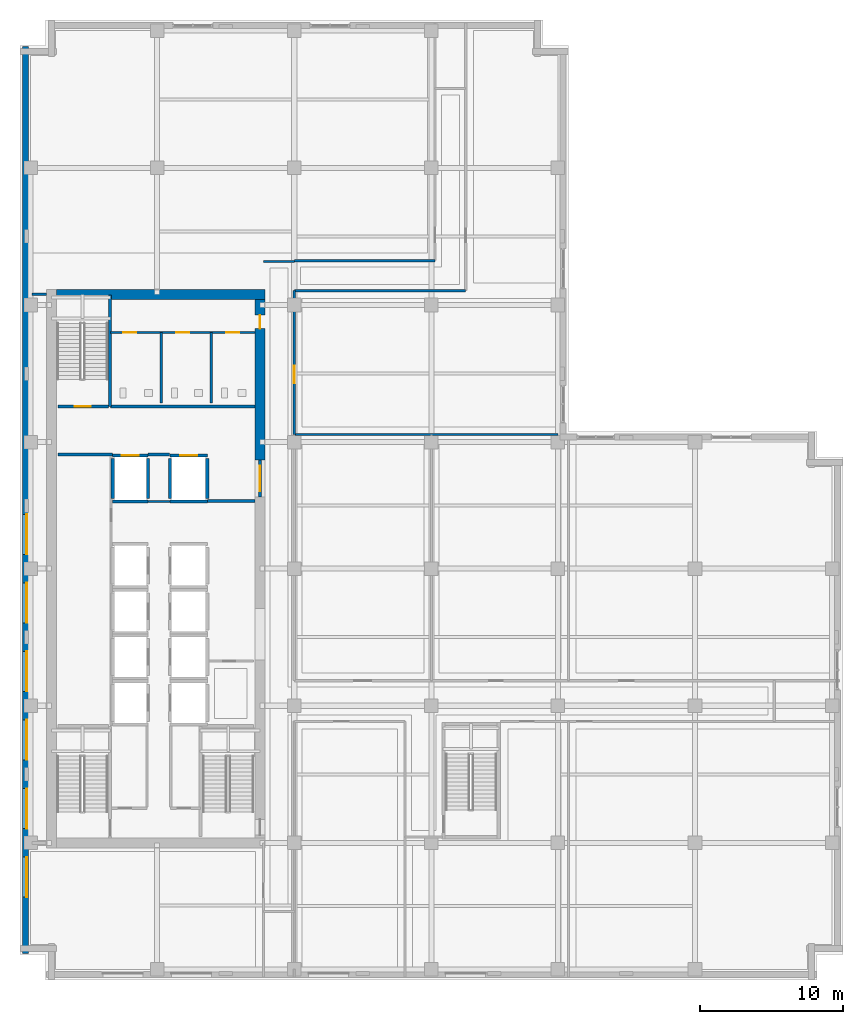
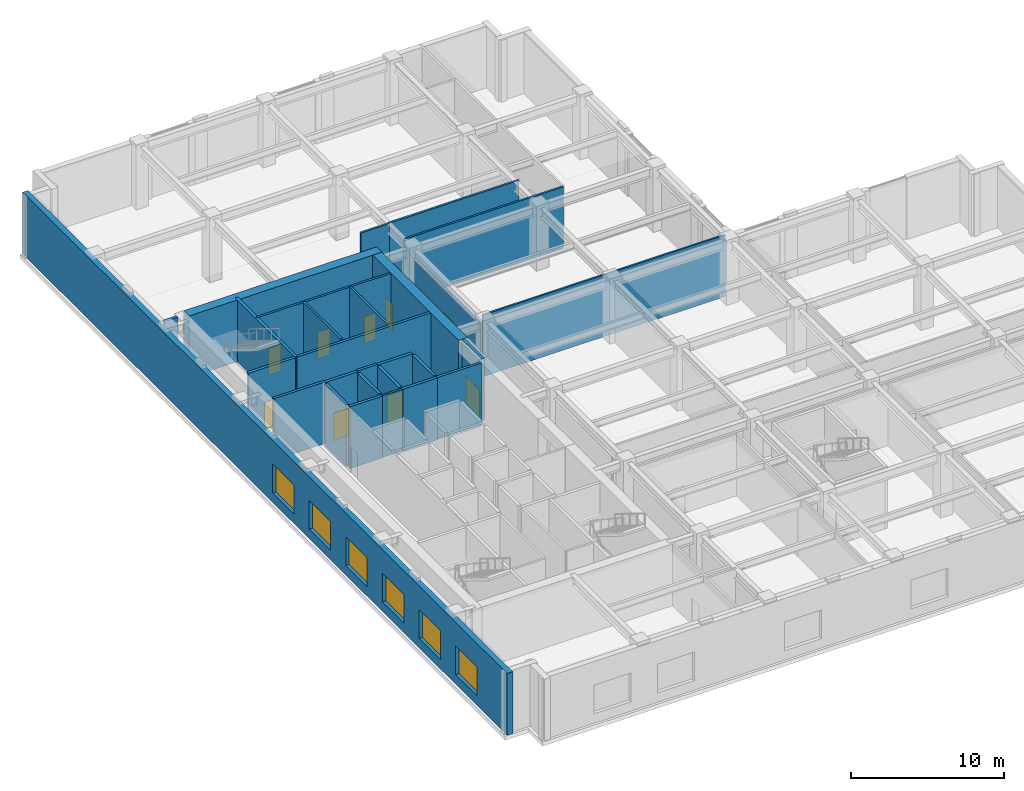
# One storey, part 6 of 18: 28 walls, 9 doors, 6 windows, 15 openings.
"""IFC4 building model written with IfcOpenShell, lengths in metres."""

from ifc_helpers import new_model, si_unit, direction, frame, frame_2d, origin, place, context, subcontext, project, spatial, rectangle, extrude, material, layer, layer_set, type_object, element, fill, save


model = new_model("IFC4")

# Units and contexts
model_context = context("Model", 3, precision=1e-05, world=origin(), true_north=direction((0.0, 1.0)))
body_context = subcontext(model_context, "Body", "Model", "MODEL_VIEW")
ifc_project = project(units=[si_unit("LENGTHUNIT", "METRE"), si_unit("AREAUNIT", "SQUARE_METRE"), si_unit("VOLUMEUNIT", "CUBIC_METRE"), si_unit("PLANEANGLEUNIT", "RADIAN"), si_unit("MASSUNIT", "GRAM", prefix="KILO")], contexts=[model_context])

# Site, building, storey
site_placement = place(None, origin())
site = spatial("IfcSite", under=ifc_project, at=site_placement, CompositionType="ELEMENT")
building_placement = place(site_placement, origin())
building = spatial("IfcBuilding", under=site, at=building_placement, Name="Norrvale University Quadrangle", CompositionType="ELEMENT")
storey_placement = place(building_placement, frame((0.0, 0.0, 150.800048828125)))
storey = spatial("IfcBuildingStorey", under=building, at=storey_placement, Name="L38", CompositionType="ELEMENT", Elevation=150.800048828125)

# Wall, openings, windows
ifc_material_1 = material(Name="Buff Norman Clay Brick Masonry", Category="masonry")
ifc_layer_1 = layer(ifc_material_1, 0.419921875, Name="Buff Norman Clay Brick Masonry")
ifc_layer_set_1 = layer_set([ifc_layer_1], Name="Buff Norman Clay Brick Masonry")
wall_type_1 = type_object("IfcWallType", Name="Wall Buff Brick 420", PredefinedType="SOLIDWALL", material=ifc_layer_set_1)
wall_1_placement = place(storey_placement, frame((0.389892578125, 65.360107421875, 0.0), z_axis=(0.0, 0.0, 1.0), x_axis=(0.0, -1.0, 0.0)))
wall_1 = element("IfcWall", 1, at=wall_1_placement, inside=storey, type_object=wall_type_1, Name="Exterior Brick Facade Wall L38-14.1", PredefinedType="SOLIDWALL", context=body_context, shape_type="SweptSolid", body=[
    extrude(rectangle(XDim=63.52001953125, YDim=0.419921875, at=frame_2d((31.760009765625, 0.0))), origin(), (0.0, 0.0, 1.0), 4.93994140625),
])
opening_1_placement = place(wall_1_placement, frame((32.760009765625, 0.0, 0.75)))
opening_1 = element("IfcOpeningElement", 2, at=opening_1_placement, cuts=wall_1, Name="Opening W05", PredefinedType="OPENING", context=body_context, shape_type="SweptSolid", body=[
    extrude(rectangle(XDim=2.800048828125, YDim=2.300048828125, at=frame_2d((1.39990234375, 1.14990234375))), frame((0.0, 0.221923828125, 0.0), z_axis=(0.0, -1.0, 0.0), x_axis=(1.0, 0.0, 0.0)), (0.0, 0.0, 1.0), 0.44384765625),
])
opening_2_placement = place(wall_1_placement, frame((37.56005859375, 0.0, 0.75)))
opening_2 = element("IfcOpeningElement", 3, at=opening_2_placement, cuts=wall_1, Name="Opening W05", PredefinedType="OPENING", context=body_context, shape_type="SweptSolid", body=[
    extrude(rectangle(XDim=2.800048828125, YDim=2.300048828125, at=frame_2d((1.39990234375, 1.14990234375))), frame((0.0, 0.221923828125, 0.0), z_axis=(0.0, -1.0, 0.0), x_axis=(1.0, 0.0, 0.0)), (0.0, 0.0, 1.0), 0.44384765625),
])
opening_3_placement = place(wall_1_placement, frame((42.360107421875, 0.0, 0.75)))
opening_3 = element("IfcOpeningElement", 4, at=opening_3_placement, cuts=wall_1, Name="Opening W05", PredefinedType="OPENING", context=body_context, shape_type="SweptSolid", body=[
    extrude(rectangle(XDim=2.800048828125, YDim=2.300048828125, at=frame_2d((1.39990234375, 1.14990234375))), frame((0.0, 0.221923828125, 0.0), z_axis=(0.0, -1.0, 0.0), x_axis=(1.0, 0.0, 0.0)), (0.0, 0.0, 1.0), 0.44384765625),
])
opening_4_placement = place(wall_1_placement, frame((47.159912109375, 0.0, 0.75)))
opening_4 = element("IfcOpeningElement", 5, at=opening_4_placement, cuts=wall_1, Name="Opening W05", PredefinedType="OPENING", context=body_context, shape_type="SweptSolid", body=[
    extrude(rectangle(XDim=2.800048828125, YDim=2.300048828125, at=frame_2d((1.39990234375, 1.14990234375))), frame((0.0, 0.221923828125, 0.0), z_axis=(0.0, -1.0, 0.0), x_axis=(1.0, 0.0, 0.0)), (0.0, 0.0, 1.0), 0.44384765625),
])
opening_5_placement = place(wall_1_placement, frame((51.9599609375, 0.0, 0.75)))
opening_5 = element("IfcOpeningElement", 6, at=opening_5_placement, cuts=wall_1, Name="Opening W05", PredefinedType="OPENING", context=body_context, shape_type="SweptSolid", body=[
    extrude(rectangle(XDim=2.800048828125, YDim=2.300048828125, at=frame_2d((1.39990234375, 1.14990234375))), frame((0.0, 0.221923828125, 0.0), z_axis=(0.0, -1.0, 0.0), x_axis=(1.0, 0.0, 0.0)), (0.0, 0.0, 1.0), 0.44384765625),
])
opening_6_placement = place(wall_1_placement, frame((56.760009765625, 0.0, 0.75)))
opening_6 = element("IfcOpeningElement", 7, at=opening_6_placement, cuts=wall_1, Name="Opening W05", PredefinedType="OPENING", context=body_context, shape_type="SweptSolid", body=[
    extrude(rectangle(XDim=2.800048828125, YDim=2.300048828125, at=frame_2d((1.39990234375, 1.14990234375))), frame((0.0, 0.221923828125, 0.0), z_axis=(0.0, -1.0, 0.0), x_axis=(1.0, 0.0, 0.0)), (0.0, 0.0, 1.0), 0.44384765625),
])
ifc_material_2 = material(Name="Bird-Friendly Fritted Triple Glazing", Category="glass")
window_type = type_object("IfcWindowType", Name="Window Podium 2800x2800", PartitioningType="TRIPLE_PANEL_VERTICAL", PredefinedType="WINDOW", material=ifc_material_2)
window_1_placement = place(opening_1_placement, origin())
window_1 = element("IfcWindow", 8, at=window_1_placement, inside=storey, type_object=window_type, Name="Window Podium 2800x2800 WIN-L38-E14-1-01", OverallHeight=2.300048828125, OverallWidth=2.800048828125, PartitioningType="TRIPLE_PANEL_VERTICAL", PredefinedType="WINDOW", context=body_context, shape_type="SweptSolid", body=[
    extrude(rectangle(XDim=2.800048828125, YDim=2.300048828125, at=frame_2d((1.39990234375, 1.14990234375))), frame((0.0, 0.110107421875, 0.0), z_axis=(0.0, -1.0, 0.0), x_axis=(1.0, 0.0, 0.0)), (0.0, 0.0, 1.0), 0.06005859375),
])
fill(opening_1, window_1)
window_2_placement = place(opening_2_placement, origin())
window_2 = element("IfcWindow", 9, at=window_2_placement, inside=storey, type_object=window_type, Name="Window Podium 2800x2800 WIN-L38-E14-1-02", OverallHeight=2.300048828125, OverallWidth=2.800048828125, PartitioningType="TRIPLE_PANEL_VERTICAL", PredefinedType="WINDOW", context=body_context, shape_type="SweptSolid", body=[
    extrude(rectangle(XDim=2.800048828125, YDim=2.300048828125, at=frame_2d((1.39990234375, 1.14990234375))), frame((0.0, 0.110107421875, 0.0), z_axis=(0.0, -1.0, 0.0), x_axis=(1.0, 0.0, 0.0)), (0.0, 0.0, 1.0), 0.06005859375),
])
fill(opening_2, window_2)
window_3_placement = place(opening_3_placement, origin())
window_3 = element("IfcWindow", 10, at=window_3_placement, inside=storey, type_object=window_type, Name="Window Podium 2800x2800 WIN-L38-E14-1-03", OverallHeight=2.300048828125, OverallWidth=2.800048828125, PartitioningType="TRIPLE_PANEL_VERTICAL", PredefinedType="WINDOW", context=body_context, shape_type="SweptSolid", body=[
    extrude(rectangle(XDim=2.800048828125, YDim=2.300048828125, at=frame_2d((1.39990234375, 1.14990234375))), frame((0.0, 0.110107421875, 0.0), z_axis=(0.0, -1.0, 0.0), x_axis=(1.0, 0.0, 0.0)), (0.0, 0.0, 1.0), 0.06005859375),
])
fill(opening_3, window_3)
window_4_placement = place(opening_4_placement, origin())
window_4 = element("IfcWindow", 11, at=window_4_placement, inside=storey, type_object=window_type, Name="Window Podium 2800x2800 WIN-L38-E14-1-04", OverallHeight=2.300048828125, OverallWidth=2.800048828125, PartitioningType="TRIPLE_PANEL_VERTICAL", PredefinedType="WINDOW", context=body_context, shape_type="SweptSolid", body=[
    extrude(rectangle(XDim=2.800048828125, YDim=2.300048828125, at=frame_2d((1.39990234375, 1.14990234375))), frame((0.0, 0.110107421875, 0.0), z_axis=(0.0, -1.0, 0.0), x_axis=(1.0, 0.0, 0.0)), (0.0, 0.0, 1.0), 0.06005859375),
])
fill(opening_4, window_4)
window_5_placement = place(opening_5_placement, origin())
window_5 = element("IfcWindow", 12, at=window_5_placement, inside=storey, type_object=window_type, Name="Window Podium 2800x2800 WIN-L38-E14-1-05", OverallHeight=2.300048828125, OverallWidth=2.800048828125, PartitioningType="TRIPLE_PANEL_VERTICAL", PredefinedType="WINDOW", context=body_context, shape_type="SweptSolid", body=[
    extrude(rectangle(XDim=2.800048828125, YDim=2.300048828125, at=frame_2d((1.39990234375, 1.14990234375))), frame((0.0, 0.110107421875, 0.0), z_axis=(0.0, -1.0, 0.0), x_axis=(1.0, 0.0, 0.0)), (0.0, 0.0, 1.0), 0.06005859375),
])
fill(opening_5, window_5)
window_6_placement = place(opening_6_placement, origin())
window_6 = element("IfcWindow", 13, at=window_6_placement, inside=storey, type_object=window_type, Name="Window Podium 2800x2800 WIN-L38-E14-1-06", OverallHeight=2.300048828125, OverallWidth=2.800048828125, PartitioningType="TRIPLE_PANEL_VERTICAL", PredefinedType="WINDOW", context=body_context, shape_type="SweptSolid", body=[
    extrude(rectangle(XDim=2.800048828125, YDim=2.300048828125, at=frame_2d((1.39990234375, 1.14990234375))), frame((0.0, 0.110107421875, 0.0), z_axis=(0.0, -1.0, 0.0), x_axis=(1.0, 0.0, 0.0)), (0.0, 0.0, 1.0), 0.06005859375),
])
fill(opening_6, window_6)

# Wall
ifc_material_3 = material(Name="Concrete C60/75", Category="concrete")
ifc_layer_2 = layer(ifc_material_3, 0.699951171875, Name="Concrete C60/75")
ifc_layer_set_2 = layer_set([ifc_layer_2], Name="Concrete C60/75")
wall_type_2 = type_object("IfcWallType", Name="Wall Core 700", PredefinedType="SHEAR", material=ifc_layer_set_2)
wall_2_placement = place(storey_placement, frame((2.550048828125, 48.0, 0.0), z_axis=(0.0, 0.0, 1.0), x_axis=(1.0, 0.0, 0.0)))
element("IfcWall", 14, at=wall_2_placement, inside=storey, type_object=wall_type_2, Name="Tower Core Shear Wall L38-N", PredefinedType="SHEAR", context=body_context, shape_type="SweptSolid", body=[
    extrude(rectangle(XDim=14.599853515625, YDim=0.699951171875, at=frame_2d((7.2998046875, 0.0))), origin(), (0.0, 0.0, 1.0), 4.93994140625),
])

# Wall, opening, door
wall_3_placement = place(storey_placement, frame((16.800048828125, 36.39990234375, 0.0), z_axis=(0.0, 0.0, 1.0), x_axis=(0.0, 1.0, 0.0)))
wall_3 = element("IfcWall", 15, at=wall_3_placement, inside=storey, type_object=wall_type_2, Name="Tower Core Shear Wall L38-E3", PredefinedType="SHEAR", context=body_context, shape_type="SweptSolid", body=[
    extrude(rectangle(XDim=11.25, YDim=0.699951171875, at=frame_2d((5.625, 0.0))), origin(), (0.0, 0.0, 1.0), 4.93994140625),
])
opening_7_placement = place(wall_3_placement, frame((9.199951171875, 0.0, 0.0)))
opening_7 = element("IfcOpeningElement", 16, at=opening_7_placement, cuts=wall_3, Name="Opening D07", PredefinedType="OPENING", context=body_context, shape_type="SweptSolid", body=[
    extrude(rectangle(XDim=0.949951171875, YDim=2.14990234375, at=frame_2d((0.47509765625, 1.074951171875))), frame((0.0, 0.362060546875, 0.0), z_axis=(0.0, -1.0, 0.0), x_axis=(1.0, 0.0, 0.0)), (0.0, 0.0, 1.0), 0.723876953125),
])
ifc_material_4 = material(Name="Solid-Core Maple Door", Category="wood")
door_type_1 = type_object("IfcDoorType", Name="Door Office 950x2150", OperationType="NOTDEFINED", PredefinedType="DOOR", material=ifc_material_4)
door_1_placement = place(opening_7_placement, origin())
door_1 = element("IfcDoor", 17, at=door_1_placement, inside=storey, type_object=door_type_1, Name="Door Office 950x2150 DR-L38-NECORR", OperationType="SINGLE_SWING_LEFT", OverallHeight=2.14990234375, OverallWidth=0.949951171875, PredefinedType="DOOR", context=body_context, shape_type="SweptSolid", body=[
    extrude(rectangle(XDim=0.949951171875, YDim=2.14990234375, at=frame_2d((0.47509765625, 1.074951171875))), frame((0.0, 0.02490234375, 0.0), z_axis=(0.0, -1.0, 0.0), x_axis=(1.0, 0.0, 0.0)), (0.0, 0.0, 1.0), 0.050048828125),
])
fill(opening_7, door_1)

# Walls
ifc_material_5 = material(Name="Standard Academic Gypsum Partition")
ifc_layer_3 = layer(ifc_material_5, 0.125, Name="Standard Academic Gypsum Partition")
ifc_layer_set_3 = layer_set([ifc_layer_3], Name="Standard Academic Gypsum Partition")
wall_type_3 = type_object("IfcWallType", Name="Wall Gypsum Academic 125", PredefinedType="PARTITIONING", material=ifc_layer_set_3)
wall_4_placement = place(storey_placement, frame((19.280029296875, 38.179931640625, 0.0), z_axis=(0.0, 0.0, 1.0), x_axis=(1.0, 0.0, 0.0)))
element("IfcWall", 18, at=wall_4_placement, inside=storey, type_object=wall_type_3, Name="Interior Partition WL-L38-ME-N", PredefinedType="PARTITIONING", context=body_context, shape_type="SweptSolid", body=[
    extrude(rectangle(XDim=18.369873046875, YDim=0.125, at=frame_2d((9.18505859375, 0.0))), origin(), (0.0, 0.0, 1.0), 4.93994140625),
])
ifc_material_6 = material(Name="Fire-Rated Gypsum Stud Partition")
ifc_layer_4 = layer(ifc_material_6, 0.14990234375, Name="Fire-Rated Gypsum Stud Partition")
ifc_layer_set_4 = layer_set([ifc_layer_4], Name="Fire-Rated Gypsum Stud Partition")
wall_type_4 = type_object("IfcWallType", Name="Wall Gypsum Corridor 150", PredefinedType="PARTITIONING", material=ifc_layer_set_4)
wall_5_placement = place(storey_placement, frame((8.965087890625, 33.489990234375, 0.0), z_axis=(0.0, 0.0, 1.0), x_axis=(1.0, 0.0, 0.0)))
element("IfcWall", 19, at=wall_5_placement, inside=storey, type_object=wall_type_4, Name="Interior Partition WL-L38-LL3", PredefinedType="PARTITIONING", context=body_context, shape_type="SweptSolid", body=[
    extrude(rectangle(XDim=1.52001953125, YDim=0.14990234375, at=frame_2d((0.760009765625, 0.0))), origin(), (0.0, 0.0, 1.0), 4.93994140625),
])
wall_6_placement = place(storey_placement, frame((17.050048828125, 50.300048828125, 0.0), z_axis=(0.0, 0.0, 1.0), x_axis=(1.0, 0.0, 0.0)))
element("IfcWall", 20, at=wall_6_placement, inside=storey, type_object=wall_type_4, Name="Interior Partition WL-L38-CSP-N", PredefinedType="PARTITIONING", context=body_context, shape_type="SweptSolid", body=[
    extrude(rectangle(XDim=2.14990234375, YDim=0.14990234375, at=frame_2d((1.074951171875, 0.0))), origin(), (0.0, 0.0, 1.0), 4.93994140625),
])

# Wall, opening, door
wall_7_placement = place(storey_placement, frame((19.199951171875, 38.179931640625, 0.0), z_axis=(0.0, 0.0, 1.0), x_axis=(0.0, 1.0, 0.0)))
wall_7 = element("IfcWall", 21, at=wall_7_placement, inside=storey, type_object=wall_type_4, Name="Interior Partition WL-L38-MNECW", PredefinedType="PARTITIONING", context=body_context, shape_type="SweptSolid", body=[
    extrude(rectangle(XDim=10.070068359375, YDim=0.14990234375, at=frame_2d((5.03515625, 0.0))), origin(), (0.0, 0.0, 1.0), 4.244873046875),
])
opening_8_placement = place(wall_7_placement, frame((3.60009765625, 0.0, 0.0)))
opening_8 = element("IfcOpeningElement", 22, at=opening_8_placement, cuts=wall_7, Name="Opening D05", PredefinedType="OPENING", context=body_context, shape_type="SweptSolid", body=[
    extrude(rectangle(XDim=1.199951171875, YDim=2.199951171875, at=frame_2d((0.60009765625, 1.10009765625))), frame((0.0, 0.0869140625, 0.0), z_axis=(0.0, -1.0, 0.0), x_axis=(1.0, 0.0, 0.0)), (0.0, 0.0, 1.0), 0.173828125),
])
ifc_material_7 = material(Name="Acoustic Oak Classroom Door", Category="wood")
door_type_2 = type_object("IfcDoorType", Name="Door Classroom 1200x2200", OperationType="NOTDEFINED", PredefinedType="DOOR", material=ifc_material_7)
door_2_placement = place(opening_8_placement, origin())
door_2 = element("IfcDoor", 23, at=door_2_placement, inside=storey, type_object=door_type_2, Name="Door Classroom 1200x2200 DR-L38-MNE01", OperationType="SINGLE_SWING_RIGHT", OverallHeight=2.199951171875, OverallWidth=1.199951171875, PredefinedType="DOOR", context=body_context, shape_type="SweptSolid", body=[
    extrude(rectangle(XDim=1.199951171875, YDim=2.199951171875, at=frame_2d((0.60009765625, 1.10009765625))), frame((0.0, 0.02490234375, 0.0), z_axis=(0.0, -1.0, 0.0), x_axis=(1.0, 0.0, 0.0)), (0.0, 0.0, 1.0), 0.050048828125),
])
fill(opening_8, door_2)

# Walls
wall_8_placement = place(storey_placement, frame((19.199951171875, 48.25, 0.0), z_axis=(0.0, 0.0, 1.0), x_axis=(1.0, 0.0, 0.0)))
element("IfcWall", 24, at=wall_8_placement, inside=storey, type_object=wall_type_4, Name="Interior Partition WL-L38-JOGS", PredefinedType="PARTITIONING", context=body_context, shape_type="SweptSolid", body=[
    extrude(rectangle(XDim=12.0, YDim=0.14990234375, at=frame_2d((6.0, 0.0))), origin(), (0.0, 0.0, 1.0), 4.93994140625),
])
wall_9_placement = place(storey_placement, frame((19.199951171875, 50.35009765625, 0.0), z_axis=(0.0, 0.0, 1.0), x_axis=(1.0, 0.0, 0.0)))
element("IfcWall", 25, at=wall_9_placement, inside=storey, type_object=wall_type_4, Name="Interior Partition WL-L38-JOGN", PredefinedType="PARTITIONING", context=body_context, shape_type="SweptSolid", body=[
    extrude(rectangle(XDim=9.85009765625, YDim=0.14990234375, at=frame_2d((4.925048828125, 0.0))), origin(), (0.0, 0.0, 1.0), 4.93994140625),
])

# Wall, openings, doors
ifc_material_8 = material(Name="Sanitary Chase Gypsum Partition")
ifc_layer_5 = layer(ifc_material_8, 0.1650390625, Name="Sanitary Chase Gypsum Partition")
ifc_layer_set_5 = layer_set([ifc_layer_5], Name="Sanitary Chase Gypsum Partition")
wall_type_5 = type_object("IfcWallType", Name="Wall Gypsum Sanitary 165", PredefinedType="PLUMBINGWALL", material=ifc_layer_set_5)
wall_10_placement = place(storey_placement, frame((6.320068359375, 45.320068359375, 0.0), z_axis=(0.0, 0.0, 1.0), x_axis=(1.0, 0.0, 0.0)))
wall_10 = element("IfcWall", 26, at=wall_10_placement, inside=storey, type_object=wall_type_5, Name="Interior Partition WL-L38-WCN", PredefinedType="PLUMBINGWALL", context=body_context, shape_type="SweptSolid", body=[
    extrude(rectangle(XDim=10.1298828125, YDim=0.1650390625, at=frame_2d((5.06494140625, 0.0))), origin(), (0.0, 0.0, 1.0), 4.93994140625),
])
opening_9_placement = place(wall_10_placement, frame((0.89990234375, 0.0, 0.0)))
opening_9 = element("IfcOpeningElement", 27, at=opening_9_placement, cuts=wall_10, Name="Opening D08", PredefinedType="OPENING", context=body_context, shape_type="SweptSolid", body=[
    extrude(rectangle(XDim=0.919921875, YDim=2.14990234375, at=frame_2d((0.4599609375, 1.074951171875))), frame((0.0, 0.094482421875, 0.0), z_axis=(0.0, -1.0, 0.0), x_axis=(1.0, 0.0, 0.0)), (0.0, 0.0, 1.0), 0.18896484375),
])
opening_10_placement = place(wall_10_placement, frame((4.60009765625, 0.0, 0.0)))
opening_10 = element("IfcOpeningElement", 28, at=opening_10_placement, cuts=wall_10, Name="Opening D08", PredefinedType="OPENING", context=body_context, shape_type="SweptSolid", body=[
    extrude(rectangle(XDim=0.919921875, YDim=2.14990234375, at=frame_2d((0.4599609375, 1.074951171875))), frame((0.0, 0.094482421875, 0.0), z_axis=(0.0, -1.0, 0.0), x_axis=(1.0, 0.0, 0.0)), (0.0, 0.0, 1.0), 0.18896484375),
])
opening_11_placement = place(wall_10_placement, frame((8.10009765625, 0.0, 0.0)))
opening_11 = element("IfcOpeningElement", 29, at=opening_11_placement, cuts=wall_10, Name="Opening D08", PredefinedType="OPENING", context=body_context, shape_type="SweptSolid", body=[
    extrude(rectangle(XDim=0.919921875, YDim=2.14990234375, at=frame_2d((0.4599609375, 1.074951171875))), frame((0.0, 0.094482421875, 0.0), z_axis=(0.0, -1.0, 0.0), x_axis=(1.0, 0.0, 0.0)), (0.0, 0.0, 1.0), 0.18896484375),
])
ifc_material_9 = material(Name="Laminate Washroom Door", Category="wood")
door_type_3 = type_object("IfcDoorType", Name="Door Washroom 920x2150", OperationType="NOTDEFINED", PredefinedType="DOOR", material=ifc_material_9)
door_3_placement = place(opening_9_placement, origin())
door_3 = element("IfcDoor", 30, at=door_3_placement, inside=storey, type_object=door_type_3, Name="Door Washroom 920x2150 DR-L38-WC1", OperationType="SINGLE_SWING_LEFT", OverallHeight=2.14990234375, OverallWidth=0.919921875, PredefinedType="DOOR", context=body_context, shape_type="SweptSolid", body=[
    extrude(rectangle(XDim=0.919921875, YDim=2.14990234375, at=frame_2d((0.4599609375, 1.074951171875))), frame((0.0, 0.02490234375, 0.0), z_axis=(0.0, -1.0, 0.0), x_axis=(1.0, 0.0, 0.0)), (0.0, 0.0, 1.0), 0.050048828125),
])
fill(opening_9, door_3)
door_4_placement = place(opening_10_placement, origin())
door_4 = element("IfcDoor", 31, at=door_4_placement, inside=storey, type_object=door_type_3, Name="Door Washroom 920x2150 DR-L38-WC2", OperationType="SINGLE_SWING_RIGHT", OverallHeight=2.14990234375, OverallWidth=0.919921875, PredefinedType="DOOR", context=body_context, shape_type="SweptSolid", body=[
    extrude(rectangle(XDim=0.919921875, YDim=2.14990234375, at=frame_2d((0.4599609375, 1.074951171875))), frame((0.0, 0.02490234375, 0.0), z_axis=(0.0, -1.0, 0.0), x_axis=(1.0, 0.0, 0.0)), (0.0, 0.0, 1.0), 0.050048828125),
])
fill(opening_10, door_4)
door_5_placement = place(opening_11_placement, origin())
door_5 = element("IfcDoor", 32, at=door_5_placement, inside=storey, type_object=door_type_3, Name="Door Washroom 920x2150 DR-L38-WC3", OperationType="SINGLE_SWING_LEFT", OverallHeight=2.14990234375, OverallWidth=0.919921875, PredefinedType="DOOR", context=body_context, shape_type="SweptSolid", body=[
    extrude(rectangle(XDim=0.919921875, YDim=2.14990234375, at=frame_2d((0.4599609375, 1.074951171875))), frame((0.0, 0.02490234375, 0.0), z_axis=(0.0, -1.0, 0.0), x_axis=(1.0, 0.0, 0.0)), (0.0, 0.0, 1.0), 0.050048828125),
])
fill(opening_11, door_5)

# Walls
for number, where, z_axis, x_axis, name in (
    (33, (9.89990234375, 40.39990234375, 0.0), (0.0, 0.0, 1.0), (0.0, 1.0, 0.0), "Interior Partition WL-L38-WCM1"),
    (34, (13.39990234375, 40.39990234375, 0.0), (0.0, 0.0, 1.0), (0.0, 1.0, 0.0), "Interior Partition WL-L38-WCM2"),
):
    element("IfcWall", number, at=place(storey_placement, frame(where, z_axis=z_axis, x_axis=x_axis)), inside=storey, type_object=wall_type_5, Name=name, PredefinedType="PLUMBINGWALL", context=body_context, shape_type="SweptSolid", body=[
        extrude(rectangle(XDim=4.920166015625, YDim=0.1650390625, at=frame_2d((2.4599609375, 0.0))), origin(), (0.0, 0.0, 1.0), 4.93994140625),
    ])
ifc_material_10 = material(Name="Concrete Blockwork 20 MPa Rated Wall", Category="masonry")
ifc_layer_6 = layer(ifc_material_10, 0.199951171875, Name="Concrete Blockwork 20 MPa Rated Wall")
ifc_layer_set_6 = layer_set([ifc_layer_6], Name="Concrete Blockwork 20 MPa Rated Wall")
wall_type_6 = type_object("IfcWallType", Name="Wall Lobby 200", PredefinedType="SOLIDWALL", material=ifc_layer_set_6)
wall_11_placement = place(storey_placement, frame((2.64990234375, 36.780029296875, 0.0), z_axis=(0.0, 0.0, 1.0), x_axis=(1.0, 0.0, 0.0)))
element("IfcWall", 35, at=wall_11_placement, inside=storey, type_object=wall_type_6, Name="Interior Partition WL-L38-FF1", PredefinedType="SOLIDWALL", context=body_context, shape_type="SweptSolid", body=[
    extrude(rectangle(XDim=3.830078125, YDim=0.199951171875, at=frame_2d((1.9150390625, 0.0))), origin(), (0.0, 0.0, 1.0), 4.93994140625),
])
wall_12_placement = place(storey_placement, frame((8.969970703125, 36.780029296875, 0.0), z_axis=(0.0, 0.0, 1.0), x_axis=(1.0, 0.0, 0.0)))
element("IfcWall", 36, at=wall_12_placement, inside=storey, type_object=wall_type_6, Name="Interior Partition WL-L38-FF2", PredefinedType="SOLIDWALL", context=body_context, shape_type="SweptSolid", body=[
    extrude(rectangle(XDim=1.510009765625, YDim=0.199951171875, at=frame_2d((0.7548828125, 0.0))), origin(), (0.0, 0.0, 1.0), 4.93994140625),
])
wall_13_placement = place(storey_placement, frame((13.1201171875, 33.52001953125, 0.0), z_axis=(0.0, 0.0, 1.0), x_axis=(1.0, 0.0, 0.0)))
element("IfcWall", 37, at=wall_13_placement, inside=storey, type_object=wall_type_6, Name="Interior Partition WL-L38-FF3", PredefinedType="SOLIDWALL", context=body_context, shape_type="SweptSolid", body=[
    extrude(rectangle(XDim=3.329833984375, YDim=0.199951171875, at=frame_2d((1.6650390625, 0.0))), origin(), (0.0, 0.0, 1.0), 4.93994140625),
])
wall_14_placement = place(storey_placement, frame((6.320068359375, 40.139892578125, 0.0), z_axis=(0.0, 0.0, 1.0), x_axis=(1.0, 0.0, 0.0)))
element("IfcWall", 38, at=wall_14_placement, inside=storey, type_object=wall_type_6, Name="Interior Partition WL-L38-FF4", PredefinedType="SOLIDWALL", context=body_context, shape_type="SweptSolid", body=[
    extrude(rectangle(XDim=10.1298828125, YDim=0.199951171875, at=frame_2d((5.06494140625, 0.0))), origin(), (0.0, 0.0, 1.0), 4.93994140625),
])

# Wall, opening, door
wall_15_placement = place(storey_placement, frame((16.800048828125, 33.800048828125, 0.0), z_axis=(0.0, 0.0, 1.0), x_axis=(0.0, 1.0, 0.0)))
wall_15 = element("IfcWall", 39, at=wall_15_placement, inside=storey, type_object=wall_type_6, Name="Interior Partition WL-L38-FFP", PredefinedType="SOLIDWALL", context=body_context, shape_type="SweptSolid", body=[
    extrude(rectangle(XDim=2.599853515625, YDim=0.199951171875, at=frame_2d((1.2998046875, 0.0))), origin(), (0.0, 0.0, 1.0), 4.93994140625),
])
opening_12_placement = place(wall_15_placement, frame((0.39990234375, 0.0, 0.0)))
opening_12 = element("IfcOpeningElement", 40, at=opening_12_placement, cuts=wall_15, Name="Opening D03", PredefinedType="OPENING", context=body_context, shape_type="SweptSolid", body=[
    extrude(rectangle(XDim=1.800048828125, YDim=2.199951171875, at=frame_2d((0.89990234375, 1.10009765625))), frame((0.0, 0.112060546875, 0.0), z_axis=(0.0, -1.0, 0.0), x_axis=(1.0, 0.0, 0.0)), (0.0, 0.0, 1.0), 0.223876953125),
])
ifc_material_11 = material(Name="Hollow Steel 350W Fire Door", Category="steel")
door_type_4 = type_object("IfcDoorType", Name="Door Fire Lobby 1800x2200", OperationType="DOUBLE_DOOR_SINGLE_SWING", PredefinedType="DOOR", material=ifc_material_11)
door_6_placement = place(opening_12_placement, origin())
door_6 = element("IfcDoor", 41, at=door_6_placement, inside=storey, type_object=door_type_4, Name="Door Fire Lobby 1800x2200 DR-L38-FFP", OperationType="DOUBLE_DOOR_SINGLE_SWING", OverallHeight=2.199951171875, OverallWidth=1.800048828125, PredefinedType="DOOR", context=body_context, shape_type="SweptSolid", body=[
    extrude(rectangle(XDim=1.800048828125, YDim=2.199951171875, at=frame_2d((0.89990234375, 1.10009765625))), frame((0.0, 0.02490234375, 0.0), z_axis=(0.0, -1.0, 0.0), x_axis=(1.0, 0.0, 0.0)), (0.0, 0.0, 1.0), 0.050048828125),
])
fill(opening_12, door_6)

# Wall
wall_16_placement = place(storey_placement, frame((0.85009765625, 48.0, 0.0), z_axis=(0.0, 0.0, 1.0), x_axis=(1.0, 0.0, 0.0)))
element("IfcWall", 42, at=wall_16_placement, inside=storey, type_object=wall_type_6, Name="Interior Partition WL-L38-CWRET-N", PredefinedType="SOLIDWALL", context=body_context, shape_type="SweptSolid", body=[
    extrude(rectangle(XDim=0.994873046875, YDim=0.199951171875, at=frame_2d((0.49755859375, 0.0))), origin(), (0.0, 0.0, 1.0), 4.93994140625),
])

# Wall, opening, door
ifc_material_12 = material(Name="Concrete Blockwork 20 MPa Fire Shaft", Category="masonry")
ifc_layer_7 = layer(ifc_material_12, 0.219970703125, Name="Concrete Blockwork 20 MPa Fire Shaft")
ifc_layer_set_7 = layer_set([ifc_layer_7], Name="Concrete Blockwork 20 MPa Fire Shaft")
wall_type_7 = type_object("IfcWallType", Name="Wall Shaft 220", PredefinedType="SOLIDWALL", material=ifc_layer_set_7)
wall_17_placement = place(storey_placement, frame((2.64990234375, 40.139892578125, 0.0), z_axis=(0.0, 0.0, 1.0), x_axis=(1.0, 0.0, 0.0)))
wall_17 = element("IfcWall", 43, at=wall_17_placement, inside=storey, type_object=wall_type_7, Name="Stair ST-02 South Shaft Wall L38", PredefinedType="SOLIDWALL", context=body_context, shape_type="SweptSolid", body=[
    extrude(rectangle(XDim=3.550048828125, YDim=0.219970703125, at=frame_2d((1.77490234375, 0.0))), origin(), (0.0, 0.0, 1.0), 4.93994140625),
])
opening_13_placement = place(wall_17_placement, frame((1.199951171875, 0.0, 0.0)))
opening_13 = element("IfcOpeningElement", 44, at=opening_13_placement, cuts=wall_17, Name="Opening D02", PredefinedType="OPENING", context=body_context, shape_type="SweptSolid", body=[
    extrude(rectangle(XDim=1.10009765625, YDim=2.199951171875, at=frame_2d((0.550048828125, 1.10009765625))), frame((0.0, 0.1220703125, 0.0), z_axis=(0.0, -1.0, 0.0), x_axis=(1.0, 0.0, 0.0)), (0.0, 0.0, 1.0), 0.243896484375),
])
door_type_5 = type_object("IfcDoorType", Name="Door Stair Exit 1100x2200", OperationType="NOTDEFINED", PredefinedType="DOOR", material=ifc_material_11)
door_7_placement = place(opening_13_placement, origin())
door_7 = element("IfcDoor", 45, at=door_7_placement, inside=storey, type_object=door_type_5, Name="Door Stair Exit 1100x2200 DR-L38-ST02", OperationType="SINGLE_SWING_LEFT", OverallHeight=2.199951171875, OverallWidth=1.10009765625, PredefinedType="DOOR", context=body_context, shape_type="SweptSolid", body=[
    extrude(rectangle(XDim=1.10009765625, YDim=2.199951171875, at=frame_2d((0.550048828125, 1.10009765625))), frame((0.0, 0.02490234375, 0.0), z_axis=(0.0, -1.0, 0.0), x_axis=(1.0, 0.0, 0.0)), (0.0, 0.0, 1.0), 0.050048828125),
])
fill(opening_13, door_7)

# Walls
wall_18_placement = place(storey_placement, frame((6.31005859375, 40.139892578125, 0.0), z_axis=(0.0, 0.0, 1.0), x_axis=(0.0, 1.0, 0.0)))
element("IfcWall", 46, at=wall_18_placement, inside=storey, type_object=wall_type_7, Name="Stair ST-02 East Shaft Wall L38", PredefinedType="SOLIDWALL", context=body_context, shape_type="SweptSolid", body=[
    extrude(rectangle(XDim=7.81005859375, YDim=0.219970703125, at=frame_2d((3.905029296875, 0.0))), origin(), (0.0, 0.0, 1.0), 4.93994140625),
])
for number, where, z_axis, x_axis, name in (
    (47, (6.489990234375, 33.7099609375, 0.0), (0.0, 0.0, 1.0), (0.0, 1.0, 0.0), "Hoistway FFL-01 West Wall L38"),
    (48, (8.9599609375, 33.7099609375, 0.0), (0.0, 0.0, 1.0), (0.0, 1.0, 0.0), "Hoistway FFL-01 East Wall L38"),
):
    element("IfcWall", number, at=place(storey_placement, frame(where, z_axis=z_axis, x_axis=x_axis)), inside=storey, type_object=wall_type_7, Name=name, PredefinedType="SOLIDWALL", context=body_context, shape_type="SweptSolid", body=[
        extrude(rectangle(XDim=2.780029296875, YDim=0.219970703125, at=frame_2d((1.39013671875, 0.0))), origin(), (0.0, 0.0, 1.0), 4.93994140625),
    ])
wall_19_placement = place(storey_placement, frame((6.489990234375, 33.489990234375, 0.0), z_axis=(0.0, 0.0, 1.0), x_axis=(1.0, 0.0, 0.0)))
element("IfcWall", 49, at=wall_19_placement, inside=storey, type_object=wall_type_7, Name="Hoistway FFL-01 South Wall L38", PredefinedType="SOLIDWALL", context=body_context, shape_type="SweptSolid", body=[
    extrude(rectangle(XDim=2.469970703125, YDim=0.219970703125, at=frame_2d((1.23486328125, 0.0))), origin(), (0.0, 0.0, 1.0), 4.93994140625),
])

# Wall, opening, door
wall_20_placement = place(storey_placement, frame((6.489990234375, 36.7099609375, 0.0), z_axis=(0.0, 0.0, 1.0), x_axis=(1.0, 0.0, 0.0)))
wall_20 = element("IfcWall", 50, at=wall_20_placement, inside=storey, type_object=wall_type_7, Name="Hoistway FFL-01 North Wall L38", PredefinedType="SOLIDWALL", context=body_context, shape_type="SweptSolid", body=[
    extrude(rectangle(XDim=2.469970703125, YDim=0.219970703125, at=frame_2d((1.23486328125, 0.0))), origin(), (0.0, 0.0, 1.0), 4.93994140625),
])
opening_14_placement = place(wall_20_placement, frame((0.635009765625, 0.0, 0.0)))
opening_14 = element("IfcOpeningElement", 51, at=opening_14_placement, cuts=wall_20, Name="Opening LD2", PredefinedType="OPENING", context=body_context, shape_type="SweptSolid", body=[
    extrude(rectangle(XDim=1.199951171875, YDim=2.199951171875, at=frame_2d((0.60009765625, 1.10009765625))), frame((0.0, 0.1220703125, 0.0), z_axis=(0.0, -1.0, 0.0), x_axis=(1.0, 0.0, 0.0)), (0.0, 0.0, 1.0), 0.243896484375),
])
ifc_material_13 = material(Name="Stainless Steel 316L Firefighter Lift Door", Category="steel")
door_type_6 = type_object("IfcDoorType", Name="Door Fire Lift 1200x2200", OperationType="DOUBLE_DOOR_SLIDING", PredefinedType="DOOR", material=ifc_material_13)
door_8_placement = place(opening_14_placement, origin())
door_8 = element("IfcDoor", 52, at=door_8_placement, inside=storey, type_object=door_type_6, Name="Elevator Landing Door DR-L38-FFL-01", OperationType="DOUBLE_DOOR_SLIDING", OverallHeight=2.199951171875, OverallWidth=1.199951171875, PredefinedType="DOOR", context=body_context, shape_type="SweptSolid", body=[
    extrude(rectangle(XDim=1.199951171875, YDim=2.199951171875, at=frame_2d((0.60009765625, 1.10009765625))), frame((0.0, 0.02490234375, 0.0), z_axis=(0.0, -1.0, 0.0), x_axis=(1.0, 0.0, 0.0)), (0.0, 0.0, 1.0), 0.050048828125),
])
fill(opening_14, door_8)

# Walls
for number, where, z_axis, x_axis, name in (
    (53, (10.489990234375, 33.7099609375, 0.0), (0.0, 0.0, 1.0), (0.0, 1.0, 0.0), "Hoistway FFL-02 West Wall L38"),
    (54, (13.110107421875, 33.7099609375, 0.0), (0.0, 0.0, 1.0), (0.0, 1.0, 0.0), "Hoistway FFL-02 East Wall L38"),
):
    element("IfcWall", number, at=place(storey_placement, frame(where, z_axis=z_axis, x_axis=x_axis)), inside=storey, type_object=wall_type_7, Name=name, PredefinedType="SOLIDWALL", context=body_context, shape_type="SweptSolid", body=[
        extrude(rectangle(XDim=2.780029296875, YDim=0.219970703125, at=frame_2d((1.39013671875, 0.0))), origin(), (0.0, 0.0, 1.0), 4.93994140625),
    ])
wall_21_placement = place(storey_placement, frame((10.489990234375, 33.489990234375, 0.0), z_axis=(0.0, 0.0, 1.0), x_axis=(1.0, 0.0, 0.0)))
element("IfcWall", 55, at=wall_21_placement, inside=storey, type_object=wall_type_7, Name="Hoistway FFL-02 South Wall L38", PredefinedType="SOLIDWALL", context=body_context, shape_type="SweptSolid", body=[
    extrude(rectangle(XDim=2.6201171875, YDim=0.219970703125, at=frame_2d((1.31005859375, 0.0))), origin(), (0.0, 0.0, 1.0), 4.93994140625),
])

# Wall, opening, door
wall_22_placement = place(storey_placement, frame((10.489990234375, 36.7099609375, 0.0), z_axis=(0.0, 0.0, 1.0), x_axis=(1.0, 0.0, 0.0)))
wall_22 = element("IfcWall", 56, at=wall_22_placement, inside=storey, type_object=wall_type_7, Name="Hoistway FFL-02 North Wall L38", PredefinedType="SOLIDWALL", context=body_context, shape_type="SweptSolid", body=[
    extrude(rectangle(XDim=2.6201171875, YDim=0.219970703125, at=frame_2d((1.31005859375, 0.0))), origin(), (0.0, 0.0, 1.0), 4.93994140625),
])
opening_15_placement = place(wall_22_placement, frame((0.7099609375, 0.0, 0.0)))
opening_15 = element("IfcOpeningElement", 57, at=opening_15_placement, cuts=wall_22, Name="Opening LD2", PredefinedType="OPENING", context=body_context, shape_type="SweptSolid", body=[
    extrude(rectangle(XDim=1.199951171875, YDim=2.199951171875, at=frame_2d((0.60009765625, 1.10009765625))), frame((0.0, 0.1220703125, 0.0), z_axis=(0.0, -1.0, 0.0), x_axis=(1.0, 0.0, 0.0)), (0.0, 0.0, 1.0), 0.243896484375),
])
door_9_placement = place(opening_15_placement, origin())
door_9 = element("IfcDoor", 58, at=door_9_placement, inside=storey, type_object=door_type_6, Name="Elevator Landing Door DR-L38-FFL-02", OperationType="DOUBLE_DOOR_SLIDING", OverallHeight=2.199951171875, OverallWidth=1.199951171875, PredefinedType="DOOR", context=body_context, shape_type="SweptSolid", body=[
    extrude(rectangle(XDim=1.199951171875, YDim=2.199951171875, at=frame_2d((0.60009765625, 1.10009765625))), frame((0.0, 0.02490234375, 0.0), z_axis=(0.0, -1.0, 0.0), x_axis=(1.0, 0.0, 0.0)), (0.0, 0.0, 1.0), 0.050048828125),
])
fill(opening_15, door_9)

save(model, "model.ifc")
